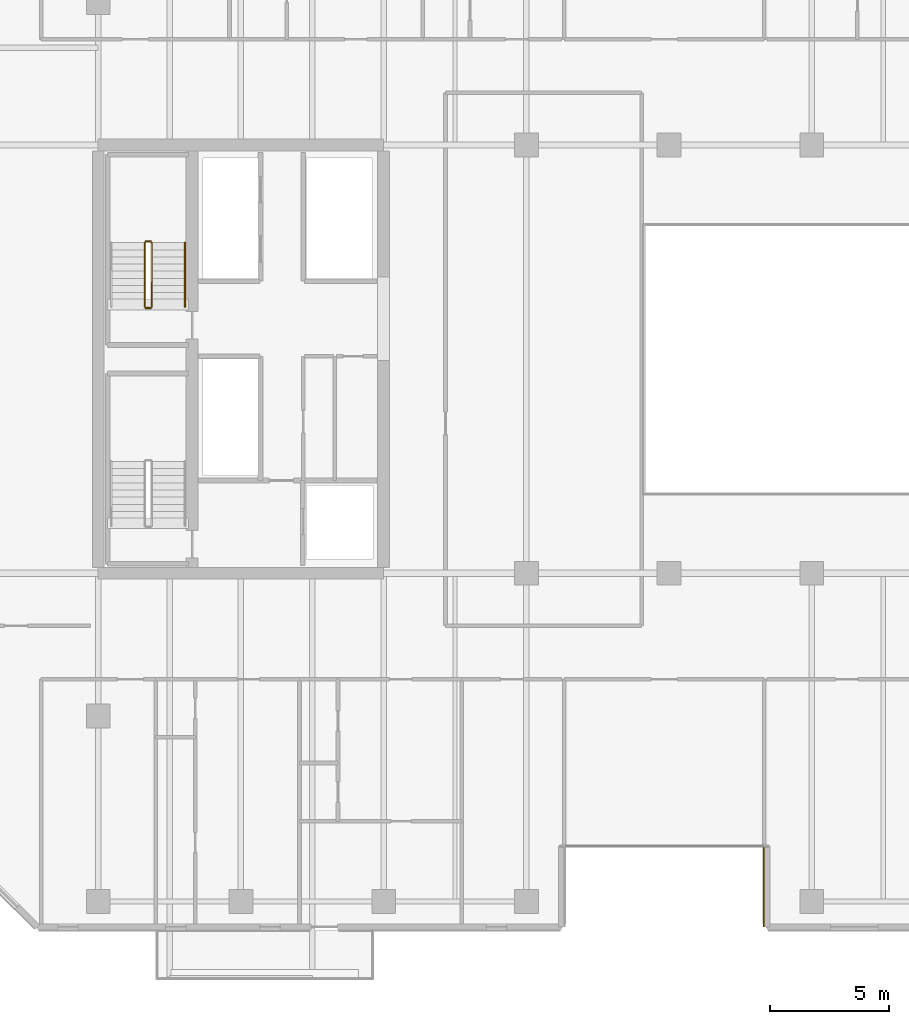
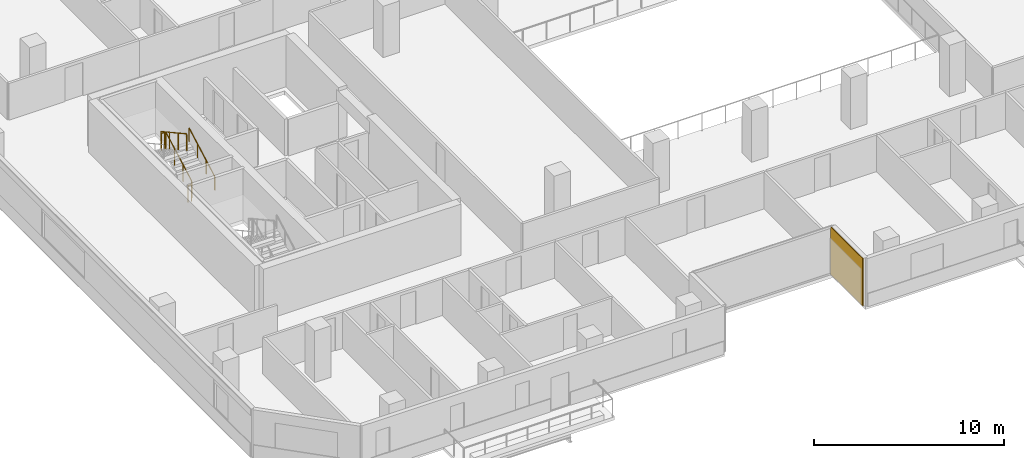
# One storey, part 20 of 23: 5 railings, 1 covering.
"""IFC4 building model written with IfcOpenShell, lengths in metres."""

from ifc_helpers import new_model, si_unit, direction, frame, origin, origin_2d, place, context, subcontext, project, spatial, rectangle, extrude, material, layer, layer_set, type_object, element, save


model = new_model("IFC4")

# Units and contexts
model_context = context("Model", 3, precision=1e-05, world=origin(), true_north=direction((0.0, 1.0)))
body_context = subcontext(model_context, "Body", "Model", "MODEL_VIEW")
ifc_project = project(units=[si_unit("LENGTHUNIT", "METRE"), si_unit("AREAUNIT", "SQUARE_METRE"), si_unit("VOLUMEUNIT", "CUBIC_METRE"), si_unit("PLANEANGLEUNIT", "RADIAN"), si_unit("MASSUNIT", "GRAM", prefix="KILO")], contexts=[model_context])

# Site, building, storey
site_placement = place(None, origin())
site = spatial("IfcSite", under=ifc_project, at=site_placement, CompositionType="ELEMENT")
building_placement = place(site_placement, origin())
building = spatial("IfcBuilding", under=site, at=building_placement, Name="Tanjung Sevakor Pilgrim Tower", CompositionType="ELEMENT")
storey_placement = place(building_placement, frame((0.0, 0.0, 82.169921875)))
storey = spatial("IfcBuildingStorey", under=building, at=storey_placement, Name="L22", CompositionType="ELEMENT", Elevation=82.169921875)

# Covering
ifc_material_1 = material(Name="Reconstructed Limestone Cladding", Category="masonry")
ifc_layer = layer(ifc_material_1, 0.044921875)
ifc_layer_set = layer_set([ifc_layer], Name="COV-CLAD-LIMESTONE")
covering_type = type_object("IfcCoveringType", Name="COV-CLAD-LIMESTONE", PredefinedType="CLADDING", material=ifc_layer_set)
covering_placement = place(storey_placement, frame((51.9775390625, 11.425048828125, 0.02001953125), z_axis=(0.0, 0.0, 1.0), x_axis=(0.0, -1.0, 0.0)))
element("IfcCovering", 1, at=covering_placement, inside=storey, type_object=covering_type, Name="L22 Warm Limestone Wall Cladding EW-L22-MAIN-4", PredefinedType="CLADDING", context=body_context, shape_type="SweptSolid", body=[
    extrude(rectangle(XDim=3.360107421875, YDim=0.044921875, at=origin_2d()), origin(), (0.0, 0.0, 1.0), 3.0400390625),
])

# Railings
ifc_material_2 = material(Name="Steel S355J2", Category="steel")
railing_type_1 = type_object("IfcRailingType", Name="RL-STAIR-GUARD", PredefinedType="GUARDRAIL", material=ifc_material_2)
railing_1_placement = place(storey_placement, frame((26.25, 35.800048828125, 0.1650390625)))
element("IfcRailing", 2, at=railing_1_placement, inside=storey, type_object=railing_type_1, Name="L22 TS-W2 stair guard 1", PredefinedType="GUARDRAIL", context=body_context, shape_type="SweptSolid", body=[
    extrude(rectangle(XDim=0.0479, YDim=0.0479), frame((0.0, 0.0, 1.076171875), z_axis=(0.0, 0.876197507361, 0.481952205197), x_axis=(-1.0, 0.0, 0.0)), (0.0, 0.0, 1.0), 3.08154296875),
    extrude(rectangle(XDim=0.042, YDim=0.042), origin(), (0.0, 0.0, 1.0), 1.052001953125),
    extrude(rectangle(XDim=0.042, YDim=0.042), frame((0.0, 0.89990234375, 0.4951171875)), (0.0, 0.0, 1.0), 1.052001953125),
    extrude(rectangle(XDim=0.042, YDim=0.042), frame((0.0, 1.800048828125, 0.989990234375)), (0.0, 0.0, 1.0), 1.052001953125),
    extrude(rectangle(XDim=0.042, YDim=0.042), frame((0.0, 2.699951171875, 1.485107421875)), (0.0, 0.0, 1.0), 1.052001953125),
])
railing_2_placement = place(storey_placement, frame((26.199951171875, 38.550048828125, 1.650146484375)))
element("IfcRailing", 3, at=railing_2_placement, inside=storey, type_object=railing_type_1, Name="L22 TS-W2 stair guard 2", PredefinedType="GUARDRAIL", context=body_context, shape_type="SweptSolid", body=[
    extrude(rectangle(XDim=0.0479, YDim=0.0479), frame((0.0, 0.0, 1.076171875), z_axis=(-1.0, 0.0, 0.0), x_axis=(0.0, -1.0, 0.0)), (0.0, 0.0, 1.0), 0.199951171875),
    extrude(rectangle(XDim=0.042, YDim=0.042), origin(), (0.0, 0.0, 1.0), 1.052001953125),
    extrude(rectangle(XDim=0.042, YDim=0.042), frame((-0.199951171875, 0.0, 0.0)), (0.0, 0.0, 1.0), 1.052001953125),
])
railing_3_placement = place(storey_placement, frame((25.949951171875, 38.5, 1.815185546875)))
element("IfcRailing", 4, at=railing_3_placement, inside=storey, type_object=railing_type_1, Name="L22 TS-W2 stair guard 3", PredefinedType="GUARDRAIL", context=body_context, shape_type="SweptSolid", body=[
    extrude(rectangle(XDim=0.0479, YDim=0.0479), frame((0.0, 0.0, 1.076171875), z_axis=(0.0, -0.876230963923, 0.481891375584), x_axis=(1.0, 0.0, 0.0)), (0.0, 0.0, 1.0), 3.081298828125),
    extrude(rectangle(XDim=0.042, YDim=0.042), origin(), (0.0, 0.0, 1.0), 1.052001953125),
    extrude(rectangle(XDim=0.042, YDim=0.042), frame((0.0, -0.89990234375, 0.494873046875)), (0.0, 0.0, 1.0), 1.052001953125),
    extrude(rectangle(XDim=0.042, YDim=0.042), frame((0.0, -1.800048828125, 0.989990234375)), (0.0, 0.0, 1.0), 1.052001953125),
    extrude(rectangle(XDim=0.042, YDim=0.042), frame((0.0, -2.699951171875, 1.48486328125)), (0.0, 0.0, 1.0), 1.052001953125),
])
railing_4_placement = place(storey_placement, frame((26.199951171875, 35.75, 0.0)))
element("IfcRailing", 5, at=railing_4_placement, inside=storey, type_object=railing_type_1, Name="L22 TS-W2 stair guard 4", PredefinedType="GUARDRAIL", context=body_context, shape_type="SweptSolid", body=[
    extrude(rectangle(XDim=0.0479, YDim=0.0479), frame((0.0, 0.0, 1.076171875), z_axis=(-1.0, 0.0, 0.0), x_axis=(0.0, -1.0, 0.0)), (0.0, 0.0, 1.0), 0.199951171875),
    extrude(rectangle(XDim=0.042, YDim=0.042), origin(), (0.0, 0.0, 1.0), 1.052001953125),
    extrude(rectangle(XDim=0.042, YDim=0.042), frame((-0.199951171875, 0.0, 0.0)), (0.0, 0.0, 1.0), 1.052001953125),
])
ifc_material_3 = material(Name="Steel S355J2", Category="steel")
railing_type_2 = type_object("IfcRailingType", Name="RL-STAIR-HAND", PredefinedType="HANDRAIL", material=ifc_material_3)
railing_5_placement = place(storey_placement, frame((27.64990234375, 35.800048828125, 0.1650390625)))
element("IfcRailing", 6, at=railing_5_placement, inside=storey, type_object=railing_type_2, Name="L22 TS-W2 stair handrail 1", PredefinedType="HANDRAIL", context=body_context, shape_type="SweptSolid", body=[
    extrude(rectangle(XDim=0.0479, YDim=0.0479), frame((0.0, 0.0, 0.8759765625), z_axis=(0.0, 0.876197507361, 0.481952205197), x_axis=(-1.0, 0.0, 0.0)), (0.0, 0.0, 1.0), 3.08154296875),
    extrude(rectangle(XDim=0.042, YDim=0.042), origin(), (0.0, 0.0, 1.0), 0.851806640625),
    extrude(rectangle(XDim=0.042, YDim=0.042), frame((0.0, 0.89990234375, 0.4951171875)), (0.0, 0.0, 1.0), 0.851806640625),
    extrude(rectangle(XDim=0.042, YDim=0.042), frame((0.0, 1.800048828125, 0.989990234375)), (0.0, 0.0, 1.0), 0.851806640625),
    extrude(rectangle(XDim=0.042, YDim=0.042), frame((0.0, 2.699951171875, 1.485107421875)), (0.0, 0.0, 1.0), 0.851806640625),
])

save(model, "model.ifc")
